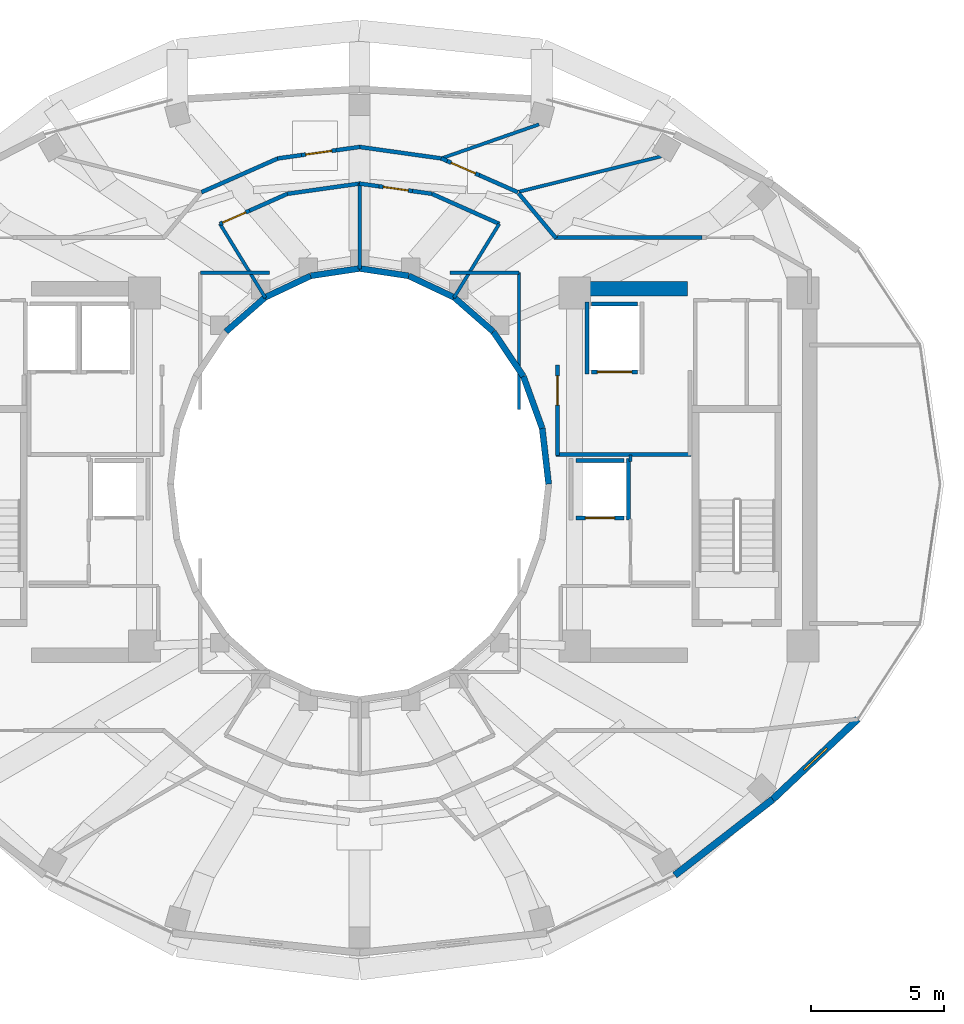
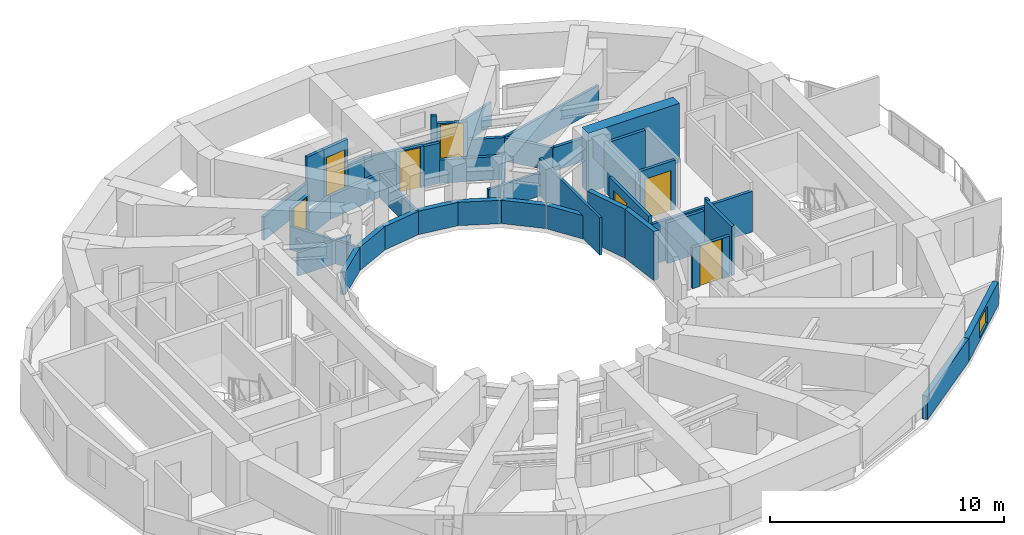
# One storey, part 16 of 20: 46 walls, 7 doors, 1 window, 8 openings.
"""IFC4 building model written with IfcOpenShell, lengths in metres."""

import ifcopenshell
import ifcopenshell.guid

model = None  # the IFC model being written
_history = None  # IfcOwnerHistory: only IFC2X3 demands one
_inside = {}  # id of a spatial element -> (the spatial element, [elements in it])
_under = {}  # id of a project, library or spatial element -> (it, [spatial elements below it])
_declared = {}  # id of a project -> (the project, [libraries it declares])
_typed = {}  # id of a type object -> (the type object, [elements of that type])
_made_of = {}  # id of a material, layer set ... -> (it, [elements and type objects made of it])


def new_model(schema):
    """Start an empty IFC model of exactly this schema.

    Asked for "IFC4X3", IfcOpenShell would pick the latest addendum, in which some entities
    have other attributes; the version numbers below select the first issue.
    IFC2X3 requires an IfcOwnerHistory on every rooted entity: one is made here for all.
    """
    global model, _history
    if schema == "IFC4X3":
        model = ifcopenshell.file(schema_version=(4, 3, 0, 0))
    else:
        model = ifcopenshell.file(schema=schema)
    _inside.clear()
    _under.clear()
    _declared.clear()
    _typed.clear()
    _made_of.clear()
    _history = None
    if model.schema == "IFC2X3":
        org = make("IfcOrganization", Name="unknown")
        user = make(
            "IfcPersonAndOrganization",
            ThePerson=make("IfcPerson", FamilyName="unknown"),
            TheOrganization=org,
        )
        app = make(
            "IfcApplication",
            ApplicationDeveloper=org,
            Version="unknown",
            ApplicationFullName="unknown",
            ApplicationIdentifier="unknown",
        )
        _history = make(
            "IfcOwnerHistory",
            OwningUser=user,
            OwningApplication=app,
            ChangeAction="ADDED",
            CreationDate=0,
        )
    return model


def make(cls, **values):
    """One entity of the class cls with the attributes given. An attribute that is None is left unset."""
    return model.create_entity(
        cls, **{name: value for name, value in values.items() if value is not None}
    )


def rooted(cls, **values):
    """An entity with a GlobalId (a new one), such as an element, a storey or a relation."""
    return make(cls, GlobalId=ifcopenshell.guid.new(), OwnerHistory=_history, **values)


def si_unit(unit_type, name, prefix=None):
    """IfcSIUnit, for example si_unit("LENGTHUNIT", "METRE", prefix="MILLI")."""
    return make("IfcSIUnit", UnitType=unit_type, Prefix=prefix, Name=name)


def assignment(units):
    """IfcUnitAssignment: the units of a project."""
    return None if units is None else make("IfcUnitAssignment", Units=units)


def point(xyz):
    """IfcCartesianPoint."""
    return None if xyz is None else make("IfcCartesianPoint", Coordinates=xyz)


def direction(xyz):
    """IfcDirection."""
    return None if xyz is None else make("IfcDirection", DirectionRatios=xyz)


def frame(location, z_axis=None, x_axis=None):
    """IfcAxis2Placement3D, a coordinate frame: its origin and axes. An axis left out is left unset."""
    return make(
        "IfcAxis2Placement3D",
        Location=point(location),
        Axis=direction(z_axis),
        RefDirection=direction(x_axis),
    )


def frame_2d(location, x_axis=None):
    """IfcAxis2Placement2D, a coordinate frame in the plane: its origin and x axis."""
    return make(
        "IfcAxis2Placement2D", Location=point(location), RefDirection=direction(x_axis)
    )


def origin():
    """The frame at (0, 0, 0) with its axes left unset."""
    return frame((0.0, 0.0, 0.0))


def place(relative_to, where):
    """IfcLocalPlacement: puts the frame where relative to a parent placement (None: the world)."""
    return make(
        "IfcLocalPlacement", PlacementRelTo=relative_to, RelativePlacement=where
    )


def context(
    kind, dimensions, precision=None, world=None, true_north=None, identifier=None
):
    """IfcGeometricRepresentationContext, for example the 3D "Model" context."""
    return make(
        "IfcGeometricRepresentationContext",
        ContextIdentifier=identifier,
        ContextType=kind,
        CoordinateSpaceDimension=dimensions,
        Precision=precision,
        WorldCoordinateSystem=world,
        TrueNorth=true_north,
    )


def subcontext(parent, identifier, kind, view, scale=None):
    """IfcGeometricRepresentationSubContext, for example "Body" below "Model"."""
    return make(
        "IfcGeometricRepresentationSubContext",
        ContextIdentifier=identifier,
        ContextType=kind,
        ParentContext=parent,
        TargetScale=scale,
        TargetView=view,
    )


def project(units=None, contexts=None):
    """IfcProject with its units and contexts."""
    return rooted(
        "IfcProject",
        Name="project",
        RepresentationContexts=contexts,
        UnitsInContext=assignment(units),
    )


def spatial(cls, under=None, at=None, **own):
    """A site, building, storey or space (cls), placed at a placement, below another one or the project."""
    s = rooted(cls, ObjectPlacement=at, **own)
    if under is not None:
        _under.setdefault(under.id(), (under, []))[1].append(s)
    return s


def profile(cls, at=None, kind="AREA", **sizes):
    """A parametric profile (cls). Its sizes go by their IFC names, for example OverallWidth=200.0."""
    return make(cls, ProfileType=kind, Position=at, **sizes)


def rectangle(**sizes):
    """IfcRectangleProfileDef."""
    return profile("IfcRectangleProfileDef", **sizes)


def extrude(swept, where, along, depth):
    """IfcExtrudedAreaSolid: the profile swept, set in the frame where, extruded along a direction by depth."""
    return make(
        "IfcExtrudedAreaSolid",
        SweptArea=swept,
        Position=where,
        ExtrudedDirection=direction(along),
        Depth=depth,
    )


def shape(context_of_items, identifier, shape_type, items):
    """IfcShapeRepresentation: the items that make up one representation, for example the "Body"."""
    return make(
        "IfcShapeRepresentation",
        ContextOfItems=context_of_items,
        RepresentationIdentifier=identifier,
        RepresentationType=shape_type,
        Items=items,
    )


def material(Name=None, Category=None):
    """IfcMaterial."""
    return make("IfcMaterial", Name=Name, Category=Category)


def layer(
    of_material, thickness, ventilated=None, Name=None, Category=None, Priority=None
):
    """IfcMaterialLayer: one layer of a wall or slab, of a material (None: an air gap)."""
    return make(
        "IfcMaterialLayer",
        Material=of_material,
        LayerThickness=thickness,
        IsVentilated=ventilated,
        Name=Name,
        Category=Category,
        Priority=Priority,
    )


def layer_set(layers, Name=None):
    """IfcMaterialLayerSet."""
    return make("IfcMaterialLayerSet", MaterialLayers=layers, LayerSetName=Name)


def made_of(thing, what):
    """Note that an element or type object is made of a material, layer set ...; save() writes the relation."""
    if what is not None:
        _made_of.setdefault(what.id(), (what, []))[1].append(thing)
    return thing


def type_object(cls, material=None, **own):
    """A type object (cls), such as IfcWallType, which elements share."""
    return made_of(rooted(cls, **own), material)


def element(
    cls,
    number,
    at=None,
    inside=None,
    cuts=None,
    type_object=None,
    material=None,
    context=None,
    identifier="Body",
    shape_type=None,
    held_by="IfcProductDefinitionShape",
    body=None,
    shapes=None,
    **own,
):
    """One element of the class cls, such as IfcWall. Its Tag is "e" and its number.

    at: its placement. inside: the storey or other place that contains it. cuts: it is an
    opening in that element (IfcRelVoidsElement). A single representation is given by context,
    identifier, shape_type and body (its items); several are given by shapes. held_by: the class
    of the entity that holds the representations. save() writes the other relations.
    """
    e = rooted(cls, Tag="e%d" % number, ObjectPlacement=at, **own)
    if body is not None:
        shapes = [shape(context, identifier, shape_type, body)]
    if shapes is not None:
        e.Representation = make(held_by, Representations=shapes)
    if inside is not None:
        _inside.setdefault(inside.id(), (inside, []))[1].append(e)
    if cuts is not None:
        rooted(
            "IfcRelVoidsElement", RelatingBuildingElement=cuts, RelatedOpeningElement=e
        )
    if type_object is not None:
        _typed.setdefault(type_object.id(), (type_object, []))[1].append(e)
    return made_of(e, material)


def fill(opening, filler):
    """IfcRelFillsElement: the door or window that sits in an opening."""
    return rooted(
        "IfcRelFillsElement",
        RelatingOpeningElement=opening,
        RelatedBuildingElement=filler,
    )


def aggregate(whole, parts):
    """IfcRelAggregates: a whole, such as a stair, and the parts it consists of."""
    return rooted("IfcRelAggregates", RelatingObject=whole, RelatedObjects=parts)


def save(model, path):
    """Write the relations noted so far, then the file.

    IfcRelAggregates (storeys below a building ...), IfcRelContainedInSpatialStructure (elements
    in a storey), IfcRelDefinesByType, IfcRelAssociatesMaterial and IfcRelDeclares: one each for
    every whole, place, type object, material and project.
    """
    for whole, parts in _under.values():
        aggregate(whole, parts)
    for where, things in _inside.values():
        rooted(
            "IfcRelContainedInSpatialStructure",
            RelatedElements=things,
            RelatingStructure=where,
        )
    for kind, things in _typed.values():
        rooted("IfcRelDefinesByType", RelatedObjects=things, RelatingType=kind)
    for what, things in _made_of.values():
        rooted("IfcRelAssociatesMaterial", RelatedObjects=things, RelatingMaterial=what)
    for by, libraries in _declared.values():
        rooted("IfcRelDeclares", RelatingContext=by, RelatedDefinitions=libraries)
    model.write(path)


model = new_model("IFC4")

# Units and contexts
model_context = context("Model", 3, precision=1e-05, world=origin(), true_north=direction((0.0, 1.0)))
body_context = subcontext(model_context, "Body", "Model", "MODEL_VIEW")
ifc_project = project(units=[si_unit("LENGTHUNIT", "METRE"), si_unit("AREAUNIT", "SQUARE_METRE"), si_unit("VOLUMEUNIT", "CUBIC_METRE"), si_unit("PLANEANGLEUNIT", "RADIAN"), si_unit("MASSUNIT", "GRAM", prefix="KILO")], contexts=[model_context])

# Site, building, storey
site_placement = place(None, origin())
site = spatial("IfcSite", under=ifc_project, at=site_placement, CompositionType="ELEMENT")
building_placement = place(site_placement, origin())
building = spatial("IfcBuilding", under=site, at=building_placement, Name="Solvane Sanctuary Tower", CompositionType="ELEMENT")
storey_placement = place(building_placement, frame((0.0, 0.0, 217.10009765625)))
storey = spatial("IfcBuildingStorey", under=building, at=storey_placement, Name="L66", CompositionType="ELEMENT", Elevation=217.10009765625)

# Walls
ifc_material_1 = material(Name="Concrete C50/60", Category="concrete")
ifc_layer_1 = layer(ifc_material_1, 0.550048828125, Name="Concrete C50/60")
ifc_layer_set_1 = layer_set([ifc_layer_1], Name="Concrete C50/60")
wall_type_1 = type_object("IfcWallType", Name="Wall W-CORE-550", PredefinedType="SHEAR", material=ifc_layer_set_1)
wall_1_placement = place(storey_placement, frame((39.85009765625, 30.35009765625, 0.0), z_axis=(0.0, 0.0, 1.0), x_axis=(1.0, 0.0, 0.0)))
element("IfcWall", 1, at=wall_1_placement, inside=storey, type_object=wall_type_1, Name="L66 Core Shear Wall EC-N", PredefinedType="SHEAR", context=body_context, shape_type="SweptSolid", body=[
    extrude(rectangle(XDim=4.5, YDim=0.550048828125, at=frame_2d((2.25, 0.0))), origin(), (0.0, 0.0, 1.0), 3.099853515625),
])
ifc_material_2 = material(Name="Acoustic Gypsum Partition Board")
ifc_layer_2 = layer(ifc_material_2, 0.14990234375, Name="Acoustic Gypsum Partition Board")
ifc_layer_set_2 = layer_set([ifc_layer_2], Name="Acoustic Gypsum Partition Board")
wall_type_2 = type_object("IfcWallType", Name="Wall W-CORR-150", PredefinedType="PARTITIONING", material=ifc_layer_set_2)
wall_2_placement = place(storey_placement, frame((39.39990234375, 24.1201171875, 0.0), z_axis=(0.0, 0.0, 1.0), x_axis=(1.0, 0.0, 0.0)))
element("IfcWall", 2, at=wall_2_placement, inside=storey, type_object=wall_type_2, Name="L66 East Firefighting Lobby South Wall", PredefinedType="PARTITIONING", context=body_context, shape_type="SweptSolid", body=[
    extrude(rectangle(XDim=5.080078125, YDim=0.14990234375, at=frame_2d((2.5400390625, 0.0))), origin(), (0.0, 0.0, 1.0), 2.119873046875),
])

# Wall, opening, door
wall_3_placement = place(storey_placement, frame((39.449951171875, 24.080078125, 0.0), z_axis=(0.0, 0.0, 1.0), x_axis=(0.0, 1.0, 0.0)))
wall_3 = element("IfcWall", 3, at=wall_3_placement, inside=storey, type_object=wall_type_2, Name="L66 East Firefighting Lobby West Wall", PredefinedType="PARTITIONING", context=body_context, shape_type="SweptSolid", body=[
    extrude(rectangle(XDim=3.39990234375, YDim=0.14990234375, at=frame_2d((1.699951171875, 0.0))), origin(), (0.0, 0.0, 1.0), 2.574951171875),
])
opening_1_placement = place(wall_3_placement, frame((1.893798828125, 0.0, 0.0)))
opening_1 = element("IfcOpeningElement", 4, at=opening_1_placement, cuts=wall_3, Name="Opening D-L66-05", PredefinedType="OPENING", context=body_context, shape_type="SweptSolid", body=[
    extrude(rectangle(XDim=1.10009765625, YDim=2.10009765625, at=frame_2d((0.550048828125, 1.050048828125))), frame((0.0, 0.0849609375, 0.0), z_axis=(0.0, -1.0, 0.0), x_axis=(1.0, 0.0, 0.0)), (0.0, 0.0, 1.0), 0.169921875),
])
ifc_material_3 = material(Name="Architectural Stainless Steel 316", Category="steel")
door_type_1 = type_object("IfcDoorType", Name="Door D-FFL", OperationType="NOTDEFINED", PredefinedType="DOOR", material=ifc_material_3)
door_1_placement = place(opening_1_placement, origin())
door_1 = element("IfcDoor", 5, at=door_1_placement, inside=storey, type_object=door_type_1, Name="L66 East Firefighting Lobby Fire Door", OperationType="SINGLE_SWING_LEFT", OverallHeight=2.10009765625, OverallWidth=1.10009765625, PredefinedType="DOOR", context=body_context, shape_type="SweptSolid", body=[
    extrude(rectangle(XDim=1.10009765625, YDim=2.10009765625, at=frame_2d((0.550048828125, 1.050048828125))), frame((0.0, 0.02490234375, 0.0), z_axis=(0.0, -1.0, 0.0), x_axis=(1.0, 0.0, 0.0)), (0.0, 0.0, 1.0), 0.050048828125),
])
fill(opening_1, door_1)

# Walls
wall_4_placement = place(storey_placement, frame((37.265380859375, 32.797607421875, 0.0), z_axis=(0.0, 0.0, 1.0), x_axis=(-0.913254317828, 0.407389924971, 0.0)))
element("IfcWall", 6, at=wall_4_placement, inside=storey, type_object=wall_type_2, Name="L66 Light-Well Alcove Corridor Wall 1", PredefinedType="PARTITIONING", context=body_context, shape_type="SweptSolid", body=[
    extrude(rectangle(XDim=2.78662109375, YDim=0.14990234375, at=frame_2d((1.393310546875, 0.0))), origin(), (0.0, 0.0, 1.0), 1.219970703125),
])
wall_5_placement = place(storey_placement, frame((34.72412109375, 33.931884765625, 0.0), z_axis=(0.0, 0.0, 1.0), x_axis=(-0.990190745647, 0.13972217875, 0.0)))
element("IfcWall", 7, at=wall_5_placement, inside=storey, type_object=wall_type_2, Name="L66 Light-Well Alcove Corridor Wall 1", PredefinedType="PARTITIONING", context=body_context, shape_type="SweptSolid", body=[
    extrude(rectangle(XDim=0.744384765625, YDim=0.14990234375, at=frame_2d((0.3720703125, 0.0))), origin(), (0.0, 0.0, 1.0), 2.10498046875),
])

# Wall, opening, door
wall_6_placement = place(storey_placement, frame((33.987060546875, 34.035888671875, 0.0), z_axis=(0.0, 0.0, 1.0), x_axis=(-0.990133183593, 0.140129507055, 0.0)))
wall_6 = element("IfcWall", 8, at=wall_6_placement, inside=storey, type_object=wall_type_2, Name="L66 Light-Well Alcove Corridor Wall 1", PredefinedType="PARTITIONING", context=body_context, shape_type="SweptSolid", body=[
    extrude(rectangle(XDim=1.27001953125, YDim=0.14990234375, at=frame_2d((0.635009765625, 0.0))), origin(), (0.0, 0.0, 1.0), 2.159912109375),
])
opening_2_placement = place(wall_6_placement, frame((0.159912109375, 0.0, 0.0)))
opening_2 = element("IfcOpeningElement", 9, at=opening_2_placement, cuts=wall_6, Name="Opening D-L66-14", PredefinedType="OPENING", context=body_context, shape_type="SweptSolid", body=[
    extrude(rectangle(XDim=0.949951171875, YDim=2.10009765625, at=frame_2d((0.47509765625, 1.050048828125))), frame((0.0, 0.0849609375, 0.0), z_axis=(0.0, -1.0, 0.0), x_axis=(1.0, 0.0, 0.0)), (0.0, 0.0, 1.0), 0.169921875),
])
ifc_material_4 = material(Name="Engineered Tropical Hardwood", Category="wood")
door_type_2 = type_object("IfcDoorType", Name="Door D-ROOM-950", OperationType="NOTDEFINED", PredefinedType="DOOR", material=ifc_material_4)
door_2_placement = place(opening_2_placement, origin())
door_2 = element("IfcDoor", 10, at=door_2_placement, inside=storey, type_object=door_type_2, Name="L66 Light-Well Alcove Door 1", OperationType="SINGLE_SWING_RIGHT", OverallHeight=2.10009765625, OverallWidth=0.949951171875, PredefinedType="DOOR", context=body_context, shape_type="SweptSolid", body=[
    extrude(rectangle(XDim=0.949951171875, YDim=2.10009765625, at=frame_2d((0.47509765625, 1.050048828125))), frame((0.0, 0.02490234375, 0.0), z_axis=(0.0, -1.0, 0.0), x_axis=(1.0, 0.0, 0.0)), (0.0, 0.0, 1.0), 0.050048828125),
])
fill(opening_2, door_2)

# Walls
wall_7_placement = place(storey_placement, frame((32.7294921875, 34.2138671875, 0.0), z_axis=(0.0, 0.0, 1.0), x_axis=(-0.990138882688, 0.140089232242, 0.0)))
element("IfcWall", 11, at=wall_7_placement, inside=storey, type_object=wall_type_2, Name="L66 Light-Well Alcove Corridor Wall 1", PredefinedType="PARTITIONING", context=body_context, shape_type="SweptSolid", body=[
    extrude(rectangle(XDim=0.744140625, YDim=0.14990234375, at=frame_2d((0.3720703125, 0.0))), origin(), (0.0, 0.0, 1.0), 1.219970703125),
])
wall_8_placement = place(storey_placement, frame((32.00732421875, 34.318115234375, 0.0), z_axis=(0.0, 0.0, 1.0), x_axis=(-0.990150268487, -0.140008734782, 0.0)))
element("IfcWall", 12, at=wall_8_placement, inside=storey, type_object=wall_type_2, Name="L66 Light-Well Alcove Corridor Wall 2", PredefinedType="PARTITIONING", context=body_context, shape_type="SweptSolid", body=[
    extrude(rectangle(XDim=2.758544921875, YDim=0.14990234375, at=frame_2d((1.37939453125, 0.0))), origin(), (0.0, 0.0, 1.0), 1.219970703125),
])
wall_9_placement = place(storey_placement, frame((29.279541015625, 33.932861328125, 0.0), z_axis=(0.0, 0.0, 1.0), x_axis=(-0.913286906099, -0.407316863324, 0.0)))
element("IfcWall", 13, at=wall_9_placement, inside=storey, type_object=wall_type_2, Name="L66 Light-Well Alcove Corridor Wall 2", PredefinedType="PARTITIONING", context=body_context, shape_type="SweptSolid", body=[
    extrude(rectangle(XDim=1.556640625, YDim=0.14990234375, at=frame_2d((0.7783203125, 0.0))), origin(), (0.0, 0.0, 1.0), 1.219970703125),
])

# Wall, opening, door
wall_10_placement = place(storey_placement, frame((27.85791015625, 33.298828125, 0.0), z_axis=(0.0, 0.0, 1.0), x_axis=(-0.91321306925, -0.407482380172, 0.0)))
wall_10 = element("IfcWall", 14, at=wall_10_placement, inside=storey, type_object=wall_type_2, Name="L66 Light-Well Alcove Corridor Wall 2", PredefinedType="PARTITIONING", context=body_context, shape_type="SweptSolid", body=[
    extrude(rectangle(XDim=1.22998046875, YDim=0.14990234375, at=frame_2d((0.614990234375, 0.0))), origin(), (0.0, 0.0, 1.0), 2.159912109375),
])
opening_3_placement = place(wall_10_placement, frame((0.159912109375, 0.0, 0.0)))
opening_3 = element("IfcOpeningElement", 15, at=opening_3_placement, cuts=wall_10, Name="Opening D-L66-15", PredefinedType="OPENING", context=body_context, shape_type="SweptSolid", body=[
    extrude(rectangle(XDim=0.949951171875, YDim=2.10009765625, at=frame_2d((0.47509765625, 1.050048828125))), frame((0.0, 0.0849609375, 0.0), z_axis=(0.0, -1.0, 0.0), x_axis=(1.0, 0.0, 0.0)), (0.0, 0.0, 1.0), 0.169921875),
])
door_3_placement = place(opening_3_placement, origin())
door_3 = element("IfcDoor", 16, at=door_3_placement, inside=storey, type_object=door_type_2, Name="L66 Light-Well Alcove Door 2", OperationType="SINGLE_SWING_LEFT", OverallHeight=2.10009765625, OverallWidth=0.949951171875, PredefinedType="DOOR", context=body_context, shape_type="SweptSolid", body=[
    extrude(rectangle(XDim=0.949951171875, YDim=2.10009765625, at=frame_2d((0.47509765625, 1.050048828125))), frame((0.0, 0.02490234375, 0.0), z_axis=(0.0, -1.0, 0.0), x_axis=(1.0, 0.0, 0.0)), (0.0, 0.0, 1.0), 0.050048828125),
])
fill(opening_3, door_3)

# Walls
wall_11_placement = place(storey_placement, frame((37.984130859375, 33.95458984375, 0.0), z_axis=(0.0, 0.0, 1.0), x_axis=(0.64030392053, -0.76812166312, 0.0)))
element("IfcWall", 17, at=wall_11_placement, inside=storey, type_object=wall_type_2, Name="L66 NE Corner Throat Wall", PredefinedType="PARTITIONING", context=body_context, shape_type="SweptSolid", body=[
    extrude(rectangle(XDim=2.2099609375, YDim=0.14990234375, at=frame_2d((1.10498046875, 0.0))), origin(), (0.0, 0.0, 1.0), 1.219970703125),
])
wall_12_placement = place(storey_placement, frame((39.330078125, 32.280029296875, 0.0), z_axis=(0.0, 0.0, 1.0), x_axis=(1.0, 0.0, 0.0)))
element("IfcWall", 18, at=wall_12_placement, inside=storey, type_object=wall_type_2, Name="L66 NE Corner Corridor Wall", PredefinedType="PARTITIONING", context=body_context, shape_type="SweptSolid", body=[
    extrude(rectangle(XDim=5.572021484375, YDim=0.14990234375, at=frame_2d((2.7861328125, 0.0))), origin(), (0.0, 0.0, 1.0), 1.219970703125),
])
wall_13_placement = place(storey_placement, frame((37.956298828125, 33.992431640625, 0.0), z_axis=(0.0, 0.0, 1.0), x_axis=(-0.914654802586, 0.404235812499, 0.0)))
element("IfcWall", 19, at=wall_13_placement, inside=storey, type_object=wall_type_2, Name="L66 Unit Corridor Wall N1", PredefinedType="PARTITIONING", context=body_context, shape_type="SweptSolid", body=[
    extrude(rectangle(XDim=1.584228515625, YDim=0.14990234375, at=frame_2d((0.7919921875, 0.0))), origin(), (0.0, 0.0, 1.0), 1.219970703125),
])

# Wall, opening, door
wall_14_placement = place(storey_placement, frame((36.50732421875, 34.6328125, 0.0), z_axis=(0.0, 0.0, 1.0), x_axis=(-0.914618215061, 0.404318588094, 0.0)))
wall_14 = element("IfcWall", 20, at=wall_14_placement, inside=storey, type_object=wall_type_2, Name="L66 Unit Corridor Wall N1", PredefinedType="PARTITIONING", context=body_context, shape_type="SweptSolid", body=[
    extrude(rectangle(XDim=1.320068359375, YDim=0.14990234375, at=frame_2d((0.66015625, 0.0))), origin(), (0.0, 0.0, 1.0), 2.159912109375),
])
opening_4_placement = place(wall_14_placement, frame((0.159912109375, 0.0, 0.0)))
opening_4 = element("IfcOpeningElement", 21, at=opening_4_placement, cuts=wall_14, Name="Opening D-L66-23", PredefinedType="OPENING", context=body_context, shape_type="SweptSolid", body=[
    extrude(rectangle(XDim=1.0, YDim=2.10009765625, at=frame_2d((0.5, 1.050048828125))), frame((0.0, 0.0849609375, 0.0), z_axis=(0.0, -1.0, 0.0), x_axis=(1.0, 0.0, 0.0)), (0.0, 0.0, 1.0), 0.169921875),
])
door_type_3 = type_object("IfcDoorType", Name="Door D-UNIT", OperationType="NOTDEFINED", PredefinedType="DOOR", material=ifc_material_4)
door_4_placement = place(opening_4_placement, origin())
door_4 = element("IfcDoor", 22, at=door_4_placement, inside=storey, type_object=door_type_3, Name="L66 Unit Entrance Door N1", OperationType="SINGLE_SWING_LEFT", OverallHeight=2.10009765625, OverallWidth=1.0, PredefinedType="DOOR", context=body_context, shape_type="SweptSolid", body=[
    extrude(rectangle(XDim=1.0, YDim=2.10009765625, at=frame_2d((0.5, 1.050048828125))), frame((0.0, 0.02490234375, 0.0), z_axis=(0.0, -1.0, 0.0), x_axis=(1.0, 0.0, 0.0)), (0.0, 0.0, 1.0), 0.050048828125),
])
fill(opening_4, door_4)

# Walls
wall_15_placement = place(storey_placement, frame((35.300048828125, 35.16650390625, 0.0), z_axis=(0.0, 0.0, 1.0), x_axis=(-0.914694996527, 0.404144854389, 0.0)))
element("IfcWall", 23, at=wall_15_placement, inside=storey, type_object=wall_type_2, Name="L66 Unit Corridor Wall N1", PredefinedType="PARTITIONING", context=body_context, shape_type="SweptSolid", body=[
    extrude(rectangle(XDim=0.25, YDim=0.14990234375, at=frame_2d((0.125, 0.0))), origin(), (0.0, 0.0, 1.0), 2.574951171875),
])
wall_16_placement = place(storey_placement, frame((35.08740234375, 35.262939453125, 0.0), z_axis=(0.0, 0.0, 1.0), x_axis=(-0.990268690673, 0.139168675614, 0.0)))
element("IfcWall", 24, at=wall_16_placement, inside=storey, type_object=wall_type_2, Name="L66 Unit Corridor Wall N2", PredefinedType="PARTITIONING", context=body_context, shape_type="SweptSolid", body=[
    extrude(rectangle(XDim=3.126220703125, YDim=0.14990234375, at=frame_2d((1.56298828125, 0.0))), origin(), (0.0, 0.0, 1.0), 1.219970703125),
])
wall_17_placement = place(storey_placement, frame((32.00830078125, 35.697998046875, 0.0), z_axis=(0.0, 0.0, 1.0), x_axis=(-0.990260655864, -0.139225836137, 0.0)))
element("IfcWall", 25, at=wall_17_placement, inside=storey, type_object=wall_type_2, Name="L66 Unit Corridor Wall N2", PredefinedType="PARTITIONING", context=body_context, shape_type="SweptSolid", body=[
    extrude(rectangle(XDim=0.903076171875, YDim=0.14990234375, at=frame_2d((0.45166015625, 0.0))), origin(), (0.0, 0.0, 1.0), 1.219970703125),
])

# Wall, opening, door
wall_18_placement = place(storey_placement, frame((31.114013671875, 35.572265625, 0.0), z_axis=(0.0, 0.0, 1.0), x_axis=(-0.990279679751, -0.139090459315, 0.0)))
wall_18 = element("IfcWall", 26, at=wall_18_placement, inside=storey, type_object=wall_type_2, Name="L66 Unit Corridor Wall N2", PredefinedType="PARTITIONING", context=body_context, shape_type="SweptSolid", body=[
    extrude(rectangle(XDim=1.320068359375, YDim=0.14990234375, at=frame_2d((0.66015625, 0.0))), origin(), (0.0, 0.0, 1.0), 2.574951171875),
])
opening_5_placement = place(wall_18_placement, frame((0.159912109375, 0.0, 0.0)))
opening_5 = element("IfcOpeningElement", 27, at=opening_5_placement, cuts=wall_18, Name="Opening D-L66-24", PredefinedType="OPENING", context=body_context, shape_type="SweptSolid", body=[
    extrude(rectangle(XDim=1.0, YDim=2.10009765625, at=frame_2d((0.5, 1.050048828125))), frame((0.0, 0.0849609375, 0.0), z_axis=(0.0, -1.0, 0.0), x_axis=(1.0, 0.0, 0.0)), (0.0, 0.0, 1.0), 0.169921875),
])
door_5_placement = place(opening_5_placement, origin())
door_5 = element("IfcDoor", 28, at=door_5_placement, inside=storey, type_object=door_type_3, Name="L66 Unit Entrance Door N2", OperationType="SINGLE_SWING_RIGHT", OverallHeight=2.10009765625, OverallWidth=1.0, PredefinedType="DOOR", context=body_context, shape_type="SweptSolid", body=[
    extrude(rectangle(XDim=1.0, YDim=2.10009765625, at=frame_2d((0.5, 1.050048828125))), frame((0.0, 0.02490234375, 0.0), z_axis=(0.0, -1.0, 0.0), x_axis=(1.0, 0.0, 0.0)), (0.0, 0.0, 1.0), 0.050048828125),
])
fill(opening_5, door_5)

# Walls
wall_19_placement = place(storey_placement, frame((29.806884765625, 35.388671875, 0.0), z_axis=(0.0, 0.0, 1.0), x_axis=(-0.990260655864, -0.139225836137, 0.0)))
element("IfcWall", 29, at=wall_19_placement, inside=storey, type_object=wall_type_2, Name="L66 Unit Corridor Wall N2", PredefinedType="PARTITIONING", context=body_context, shape_type="SweptSolid", body=[
    extrude(rectangle(XDim=0.903076171875, YDim=0.14990234375, at=frame_2d((0.45166015625, 0.0))), origin(), (0.0, 0.0, 1.0), 2.574951171875),
])
wall_20_placement = place(storey_placement, frame((28.9287109375, 35.267578125, 0.0), z_axis=(0.0, 0.0, 1.0), x_axis=(-0.914642679993, -0.404263240891, 0.0)))
element("IfcWall", 30, at=wall_20_placement, inside=storey, type_object=wall_type_2, Name="L66 Unit Corridor Wall N2", PredefinedType="PARTITIONING", context=body_context, shape_type="SweptSolid", body=[
    extrude(rectangle(XDim=3.154296875, YDim=0.14990234375, at=frame_2d((1.5771484375, 0.0))), origin(), (0.0, 0.0, 1.0), 1.219970703125),
])
ifc_material_5 = material(Name="Precast concrete C40/50", Category="concrete")
ifc_layer_3 = layer(ifc_material_5, 0.260009765625, Name="Precast concrete C40/50")
ifc_layer_set_3 = layer_set([ifc_layer_3], Name="Precast concrete C40/50")
wall_type_3 = type_object("IfcWallType", Name="Wall W-EXT-250", PredefinedType="STANDARD", material=ifc_layer_set_3)
wall_21_placement = place(storey_placement, frame((43.8701171875, 8.267333984375, 0.0), z_axis=(0.0, 0.0, 1.0), x_axis=(0.790126214723, 0.612944177563, 0.0)))
element("IfcWall", 31, at=wall_21_placement, inside=storey, type_object=wall_type_3, Name="L66 Ceramic-Printed Facade Wall 20", PredefinedType="STANDARD", context=body_context, shape_type="SweptSolid", body=[
    extrude(rectangle(XDim=4.6669921875, YDim=0.260009765625, at=frame_2d((2.33349609375, 0.0))), origin(), (0.0, 0.0, 1.0), 1.219970703125),
])

# Wall, opening, window
wall_22_placement = place(storey_placement, frame((47.5576171875, 11.1279296875, 0.0), z_axis=(0.0, 0.0, 1.0), x_axis=(0.72731899451, 0.686299555752, 0.0)))
wall_22 = element("IfcWall", 32, at=wall_22_placement, inside=storey, type_object=wall_type_3, Name="L66 Ceramic-Printed Facade Wall 21", PredefinedType="STANDARD", context=body_context, shape_type="SweptSolid", body=[
    extrude(rectangle(XDim=4.404296875, YDim=0.260009765625, at=frame_2d((2.2021484375, 0.0))), origin(), (0.0, 0.0, 1.0), 1.219970703125),
])
opening_6_placement = place(wall_22_placement, frame((1.60205078125, 0.0, 0.14990234375)))
opening_6 = element("IfcOpeningElement", 33, at=opening_6_placement, cuts=wall_22, Name="Opening WN-OPER-1200", PredefinedType="OPENING", context=body_context, shape_type="SweptSolid", body=[
    extrude(rectangle(XDim=1.199951171875, YDim=0.89990234375, at=frame_2d((0.60009765625, 0.449951171875))), frame((0.0, 0.139892578125, 0.0), z_axis=(0.0, -1.0, 0.0), x_axis=(1.0, 0.0, 0.0)), (0.0, 0.0, 1.0), 0.280029296875),
])
ifc_material_6 = material(Name="Dark Ceramic-Fritted Low-E Glass", Category="glass")
window_type = type_object("IfcWindowType", Name="Window WN-OPER-1200", PartitioningType="SINGLE_PANEL", PredefinedType="WINDOW", material=ifc_material_6)
window_placement = place(opening_6_placement, origin())
window = element("IfcWindow", 34, at=window_placement, inside=storey, type_object=window_type, Name="L66 Operable Facade Window 21", OverallHeight=0.89990234375, OverallWidth=1.199951171875, PartitioningType="SINGLE_PANEL", PredefinedType="WINDOW", context=body_context, shape_type="SweptSolid", body=[
    extrude(rectangle(XDim=1.199951171875, YDim=0.89990234375, at=frame_2d((0.60009765625, 0.449951171875))), frame((0.0, 0.030029296875, 0.0), z_axis=(0.0, -1.0, 0.0), x_axis=(1.0, 0.0, 0.0)), (0.0, 0.0, 1.0), 0.06005859375),
])
fill(opening_6, window)

# Walls
ifc_layer_4 = layer(ifc_material_5, 0.22998046875, Name="Precast concrete C40/50")
ifc_layer_set_4 = layer_set([ifc_layer_4], Name="Precast concrete C40/50")
wall_type_4 = type_object("IfcWallType", Name="Wall W-EXT-SP220", PredefinedType="STANDARD", material=ifc_layer_set_4)
wall_23_placement = place(storey_placement, frame((39.1201171875, 23.0, 0.0), z_axis=(0.0, 0.0, 1.0), x_axis=(-0.114711713601, 0.993398823617, 0.0)))
element("IfcWall", 35, at=wall_23_placement, inside=storey, type_object=wall_type_4, Name="L66 Central Light-Well Wall 00", PredefinedType="STANDARD", context=body_context, shape_type="SweptSolid", body=[
    extrude(rectangle(XDim=2.115478515625, YDim=0.22998046875, at=frame_2d((1.0576171875, 0.0))), origin(), (0.0, 0.0, 1.0), 2.559814453125),
])
wall_24_placement = place(storey_placement, frame((38.87744140625, 25.1015625, 0.0), z_axis=(0.0, 0.0, 1.0), x_axis=(-0.341423187295, 0.93990968033, 0.0)))
element("IfcWall", 36, at=wall_24_placement, inside=storey, type_object=wall_type_4, Name="L66 Central Light-Well Wall 01", PredefinedType="STANDARD", context=body_context, shape_type="SweptSolid", body=[
    extrude(rectangle(XDim=2.083740234375, YDim=0.22998046875, at=frame_2d((1.0419921875, 0.0))), origin(), (0.0, 0.0, 1.0), 2.559814453125),
])
wall_25_placement = place(storey_placement, frame((38.166015625, 27.06005859375, 0.0), z_axis=(0.0, 0.0, 1.0), x_axis=(-0.558197800898, 0.829707909492, 0.0)))
element("IfcWall", 37, at=wall_25_placement, inside=storey, type_object=wall_type_4, Name="L66 Central Light-Well Wall 02", PredefinedType="STANDARD", context=body_context, shape_type="SweptSolid", body=[
    extrude(rectangle(XDim=2.02685546875, YDim=0.22998046875, at=frame_2d((1.013427734375, 0.0))), origin(), (0.0, 0.0, 1.0), 1.219970703125),
])
wall_26_placement = place(storey_placement, frame((37.03466796875, 28.74169921875, 0.0), z_axis=(0.0, 0.0, 1.0), x_axis=(-0.752576694707, 0.658504607869, 0.0)))
element("IfcWall", 38, at=wall_26_placement, inside=storey, type_object=wall_type_4, Name="L66 Central Light-Well Wall 03", PredefinedType="STANDARD", context=body_context, shape_type="SweptSolid", body=[
    extrude(rectangle(XDim=1.95947265625, YDim=0.22998046875, at=frame_2d((0.979736328125, 0.0))), origin(), (0.0, 0.0, 1.0), 1.219970703125),
])
wall_27_placement = place(storey_placement, frame((35.56005859375, 30.031982421875, 0.0), z_axis=(0.0, 0.0, 1.0), x_axis=(-0.904179699603, 0.427152280606, 0.0)))
element("IfcWall", 39, at=wall_27_placement, inside=storey, type_object=wall_type_4, Name="L66 Central Light-Well Wall 04", PredefinedType="STANDARD", context=body_context, shape_type="SweptSolid", body=[
    extrude(rectangle(XDim=1.899169921875, YDim=0.22998046875, at=frame_2d((0.94970703125, 0.0))), origin(), (0.0, 0.0, 1.0), 1.219970703125),
])
for number, where, z_axis, x_axis, name in (
    (40, (33.8427734375, 30.84326171875, 0.0), (0.0, 0.0, 1.0), (-0.988901730308, 0.148571086668, 0.0), "L66 Central Light-Well Wall 05"),
    (41, (32.0, 31.1201171875, 0.0), (0.0, 0.0, 1.0), (-0.988901730308, -0.148571086668, 0.0), "L66 Central Light-Well Wall 06"),
):
    element("IfcWall", number, at=place(storey_placement, frame(where, z_axis=z_axis, x_axis=x_axis)), inside=storey, type_object=wall_type_4, Name=name, PredefinedType="STANDARD", context=body_context, shape_type="SweptSolid", body=[
        extrude(rectangle(XDim=1.863525390625, YDim=0.22998046875, at=frame_2d((0.931640625, 0.0))), origin(), (0.0, 0.0, 1.0), 1.219970703125),
    ])
wall_28_placement = place(storey_placement, frame((30.1572265625, 30.84326171875, 0.0), z_axis=(0.0, 0.0, 1.0), x_axis=(-0.904179699603, -0.427152280606, 0.0)))
element("IfcWall", 42, at=wall_28_placement, inside=storey, type_object=wall_type_4, Name="L66 Central Light-Well Wall 07", PredefinedType="STANDARD", context=body_context, shape_type="SweptSolid", body=[
    extrude(rectangle(XDim=1.899169921875, YDim=0.22998046875, at=frame_2d((0.94970703125, 0.0))), origin(), (0.0, 0.0, 1.0), 1.219970703125),
])
wall_29_placement = place(storey_placement, frame((28.43994140625, 30.031982421875, 0.0), z_axis=(0.0, 0.0, 1.0), x_axis=(-0.752576694707, -0.658504607869, 0.0)))
element("IfcWall", 43, at=wall_29_placement, inside=storey, type_object=wall_type_4, Name="L66 Central Light-Well Wall 08", PredefinedType="STANDARD", context=body_context, shape_type="SweptSolid", body=[
    extrude(rectangle(XDim=1.95947265625, YDim=0.22998046875, at=frame_2d((0.979736328125, 0.0))), origin(), (0.0, 0.0, 1.0), 1.219970703125),
])
ifc_layer_5 = layer(ifc_material_2, 0.125, Name="Acoustic Gypsum Partition Board")
ifc_layer_set_5 = layer_set([ifc_layer_5], Name="Acoustic Gypsum Partition Board")
wall_type_5 = type_object("IfcWallType", Name="Wall W-PART-125", PredefinedType="PARTITIONING", material=ifc_layer_set_5)
wall_30_placement = place(storey_placement, frame((42.199951171875, 23.85009765625, 0.0), z_axis=(0.0, 0.0, 1.0), x_axis=(0.0, 1.0, 0.0)))
element("IfcWall", 44, at=wall_30_placement, inside=storey, type_object=wall_type_5, Name="L66 Reclaimed Room Dividing Wall PME", PredefinedType="PARTITIONING", context=body_context, shape_type="SweptSolid", body=[
    extrude(rectangle(XDim=0.25, YDim=0.125, at=frame_2d((0.125, 0.0))), origin(), (0.0, 0.0, 1.0), 2.574951171875),
])
wall_31_placement = place(storey_placement, frame((35.550048828125, 30.014892578125, 0.0), z_axis=(0.0, 0.0, 1.0), x_axis=(0.522763432117, 0.852477796802, 0.0)))
element("IfcWall", 45, at=wall_31_placement, inside=storey, type_object=wall_type_5, Name="L66 Light-Well Alcove Radial Wall 60", PredefinedType="PARTITIONING", context=body_context, shape_type="SweptSolid", body=[
    extrude(rectangle(XDim=3.26904296875, YDim=0.125, at=frame_2d((1.634521484375, 0.0))), origin(), (0.0, 0.0, 1.0), 1.219970703125),
])
wall_32_placement = place(storey_placement, frame((32.0, 31.10009765625, 0.0), z_axis=(0.0, 0.0, 1.0), x_axis=(0.0, 1.0, 0.0)))
element("IfcWall", 46, at=wall_32_placement, inside=storey, type_object=wall_type_5, Name="L66 Light-Well Alcove Radial Wall 90", PredefinedType="PARTITIONING", context=body_context, shape_type="SweptSolid", body=[
    extrude(rectangle(XDim=3.218017578125, YDim=0.125, at=frame_2d((1.60888671875, 0.0))), origin(), (0.0, 0.0, 1.0), 1.219970703125),
])
wall_33_placement = place(storey_placement, frame((28.449951171875, 30.014892578125, 0.0), z_axis=(0.0, 0.0, 1.0), x_axis=(-0.522763432117, 0.852477796802, 0.0)))
element("IfcWall", 47, at=wall_33_placement, inside=storey, type_object=wall_type_5, Name="L66 Light-Well Alcove Radial Wall 120", PredefinedType="PARTITIONING", context=body_context, shape_type="SweptSolid", body=[
    extrude(rectangle(XDim=3.26904296875, YDim=0.125, at=frame_2d((1.634521484375, 0.0))), origin(), (0.0, 0.0, 1.0), 1.219970703125),
])
wall_34_placement = place(storey_placement, frame((26.0, 30.9599609375, 0.0), z_axis=(0.0, 0.0, 1.0), x_axis=(1.0, 0.0, 0.0)))
element("IfcWall", 48, at=wall_34_placement, inside=storey, type_object=wall_type_5, Name="L66 Bridge Alcove Wall 2", PredefinedType="PARTITIONING", context=body_context, shape_type="SweptSolid", body=[
    extrude(rectangle(XDim=2.60009765625, YDim=0.125, at=frame_2d((1.300048828125, 0.0))), origin(), (0.0, 0.0, 1.0), 1.219970703125),
])
wall_35_placement = place(storey_placement, frame((38.0, 25.800048828125, 0.0), z_axis=(0.0, 0.0, 1.0), x_axis=(0.0, 1.0, 0.0)))
element("IfcWall", 49, at=wall_35_placement, inside=storey, type_object=wall_type_5, Name="L66 Bridge Alcove Wall 3", PredefinedType="PARTITIONING", context=body_context, shape_type="SweptSolid", body=[
    extrude(rectangle(XDim=5.159912109375, YDim=0.125, at=frame_2d((2.580078125, 0.0))), origin(), (0.0, 0.0, 1.0), 1.951904296875),
])
wall_36_placement = place(storey_placement, frame((35.39990234375, 30.9599609375, 0.0), z_axis=(0.0, 0.0, 1.0), x_axis=(1.0, 0.0, 0.0)))
element("IfcWall", 50, at=wall_36_placement, inside=storey, type_object=wall_type_5, Name="L66 Bridge Alcove Wall 4", PredefinedType="PARTITIONING", context=body_context, shape_type="SweptSolid", body=[
    extrude(rectangle(XDim=2.60009765625, YDim=0.125, at=frame_2d((1.300048828125, 0.0))), origin(), (0.0, 0.0, 1.0), 1.219970703125),
])
wall_37_placement = place(storey_placement, frame((38.00244140625, 34.010009765625, 0.0), z_axis=(0.0, 0.0, 1.0), x_axis=(0.970445810114, 0.241319144769, 0.0)))
element("IfcWall", 51, at=wall_37_placement, inside=storey, type_object=wall_type_5, Name="L66 Radial Compartment Wall 060", PredefinedType="PARTITIONING", context=body_context, shape_type="SweptSolid", body=[
    extrude(rectangle(XDim=5.52587890625, YDim=0.125, at=frame_2d((2.762939453125, 0.0))), origin(), (0.0, 0.0, 1.0), 1.219970703125),
])
wall_38_placement = place(storey_placement, frame((35.13134765625, 35.283447265625, 0.0), z_axis=(0.0, 0.0, 1.0), x_axis=(0.944311395416, 0.329053169697, 0.0)))
element("IfcWall", 52, at=wall_38_placement, inside=storey, type_object=wall_type_5, Name="L66 Radial Compartment Wall 075", PredefinedType="PARTITIONING", context=body_context, shape_type="SweptSolid", body=[
    extrude(rectangle(XDim=3.84033203125, YDim=0.125, at=frame_2d((1.920166015625, 0.0))), origin(), (0.0, 0.0, 1.0), 1.219970703125),
])

# Wall, opening, door
ifc_layer_6 = layer(ifc_material_1, 0.14990234375, Name="Concrete C50/60")
ifc_layer_set_6 = layer_set([ifc_layer_6], Name="Concrete C50/60")
wall_type_6 = type_object("IfcWallType", Name="Wall W-SHAFT-150", PredefinedType="SOLIDWALL", material=ifc_layer_set_6)
wall_39_placement = place(storey_placement, frame((40.139892578125, 21.719970703125, 0.0), z_axis=(0.0, 0.0, 1.0), x_axis=(1.0, 0.0, 0.0)))
wall_39 = element("IfcWall", 53, at=wall_39_placement, inside=storey, type_object=wall_type_6, Name="L66 PH-2 Lift Shaft Wall F", PredefinedType="SOLIDWALL", context=body_context, shape_type="SweptSolid", body=[
    extrude(rectangle(XDim=1.820068359375, YDim=0.14990234375, at=frame_2d((0.91015625, 0.0))), origin(), (0.0, 0.0, 1.0), 2.119873046875),
])
opening_7_placement = place(wall_39_placement, frame((0.360107421875, 0.0, 0.0)))
opening_7 = element("IfcOpeningElement", 54, at=opening_7_placement, cuts=wall_39, Name="Opening LD-L66-02", PredefinedType="OPENING", context=body_context, shape_type="SweptSolid", body=[
    extrude(rectangle(XDim=1.10009765625, YDim=2.10009765625, at=frame_2d((0.550048828125, 1.050048828125))), frame((0.0, 0.0849609375, 0.0), z_axis=(0.0, -1.0, 0.0), x_axis=(1.0, 0.0, 0.0)), (0.0, 0.0, 1.0), 0.169921875),
])
door_type_4 = type_object("IfcDoorType", Name="Door LD-PASS-1100", OperationType="NOTDEFINED", PredefinedType="DOOR", material=ifc_material_3)
door_6_placement = place(opening_7_placement, origin())
door_6 = element("IfcDoor", 55, at=door_6_placement, inside=storey, type_object=door_type_4, Name="L66 PH-2 Lift Landing Door", OperationType="DOUBLE_DOOR_SLIDING", OverallHeight=2.10009765625, OverallWidth=1.10009765625, PredefinedType="DOOR", context=body_context, shape_type="SweptSolid", body=[
    extrude(rectangle(XDim=1.10009765625, YDim=2.10009765625, at=frame_2d((0.550048828125, 1.050048828125))), frame((0.0, 0.02490234375, 0.0), z_axis=(0.0, -1.0, 0.0), x_axis=(1.0, 0.0, 0.0)), (0.0, 0.0, 1.0), 0.050048828125),
])
fill(opening_7, door_6)

# Walls
wall_40_placement = place(storey_placement, frame((40.139892578125, 23.8798828125, 0.0), z_axis=(0.0, 0.0, 1.0), x_axis=(1.0, 0.0, 0.0)))
element("IfcWall", 56, at=wall_40_placement, inside=storey, type_object=wall_type_6, Name="L66 PH-2 Lift Shaft Wall B", PredefinedType="SOLIDWALL", context=body_context, shape_type="SweptSolid", body=[
    extrude(rectangle(XDim=1.820068359375, YDim=0.14990234375, at=frame_2d((0.91015625, 0.0))), origin(), (0.0, 0.0, 1.0), 2.119873046875),
])
wall_41_placement = place(storey_placement, frame((42.1298828125, 21.639892578125, 0.0), z_axis=(0.0, 0.0, 1.0), x_axis=(0.0, 1.0, 0.0)))
element("IfcWall", 57, at=wall_41_placement, inside=storey, type_object=wall_type_6, Name="L66 PH-2 Lift Shaft Wall S2", PredefinedType="SOLIDWALL", context=body_context, shape_type="SweptSolid", body=[
    extrude(rectangle(XDim=2.320068359375, YDim=0.14990234375, at=frame_2d((1.16015625, 0.0))), origin(), (0.0, 0.0, 1.0), 2.574951171875),
])

# Wall, opening, door
wall_42_placement = place(storey_placement, frame((40.739990234375, 27.219970703125, 0.0), z_axis=(0.0, 0.0, 1.0), x_axis=(1.0, 0.0, 0.0)))
wall_42 = element("IfcWall", 58, at=wall_42_placement, inside=storey, type_object=wall_type_6, Name="L66 FFL-2 Lift Shaft Wall F", PredefinedType="SOLIDWALL", context=body_context, shape_type="SweptSolid", body=[
    extrude(rectangle(XDim=1.719970703125, YDim=0.14990234375, at=frame_2d((0.85986328125, 0.0))), origin(), (0.0, 0.0, 1.0), 2.574951171875),
])
opening_8_placement = place(wall_42_placement, frame((0.2099609375, 0.0, 0.0)))
opening_8 = element("IfcOpeningElement", 59, at=opening_8_placement, cuts=wall_42, Name="Opening LD-L66-05", PredefinedType="OPENING", context=body_context, shape_type="SweptSolid", body=[
    extrude(rectangle(XDim=1.300048828125, YDim=2.10009765625, at=frame_2d((0.64990234375, 1.050048828125))), frame((0.0, 0.0849609375, 0.0), z_axis=(0.0, -1.0, 0.0), x_axis=(1.0, 0.0, 0.0)), (0.0, 0.0, 1.0), 0.169921875),
])
door_type_5 = type_object("IfcDoorType", Name="Door LD-FFL-1300", OperationType="NOTDEFINED", PredefinedType="DOOR", material=ifc_material_3)
door_7_placement = place(opening_8_placement, origin())
door_7 = element("IfcDoor", 60, at=door_7_placement, inside=storey, type_object=door_type_5, Name="L66 FFL-2 Lift Landing Door", OperationType="DOUBLE_DOOR_SLIDING", OverallHeight=2.10009765625, OverallWidth=1.300048828125, PredefinedType="DOOR", context=body_context, shape_type="SweptSolid", body=[
    extrude(rectangle(XDim=1.300048828125, YDim=2.10009765625, at=frame_2d((0.64990234375, 1.050048828125))), frame((0.0, 0.02490234375, 0.0), z_axis=(0.0, -1.0, 0.0), x_axis=(1.0, 0.0, 0.0)), (0.0, 0.0, 1.0), 0.050048828125),
])
fill(opening_8, door_7)

# Walls
wall_43_placement = place(storey_placement, frame((40.739990234375, 29.780029296875, 0.0), z_axis=(0.0, 0.0, 1.0), x_axis=(1.0, 0.0, 0.0)))
element("IfcWall", 61, at=wall_43_placement, inside=storey, type_object=wall_type_6, Name="L66 FFL-2 Lift Shaft Wall B", PredefinedType="SOLIDWALL", context=body_context, shape_type="SweptSolid", body=[
    extrude(rectangle(XDim=1.719970703125, YDim=0.14990234375, at=frame_2d((0.85986328125, 0.0))), origin(), (0.0, 0.0, 1.0), 2.574951171875),
])
wall_44_placement = place(storey_placement, frame((40.570068359375, 27.139892578125, 0.0), z_axis=(0.0, 0.0, 1.0), x_axis=(0.0, 1.0, 0.0)))
element("IfcWall", 62, at=wall_44_placement, inside=storey, type_object=wall_type_6, Name="L66 FFL-2 Lift Shaft Wall S1", PredefinedType="SOLIDWALL", context=body_context, shape_type="SweptSolid", body=[
    extrude(rectangle(XDim=2.72021484375, YDim=0.14990234375, at=frame_2d((1.360107421875, 0.0))), origin(), (0.0, 0.0, 1.0), 2.574951171875),
])

save(model, "model.ifc")
